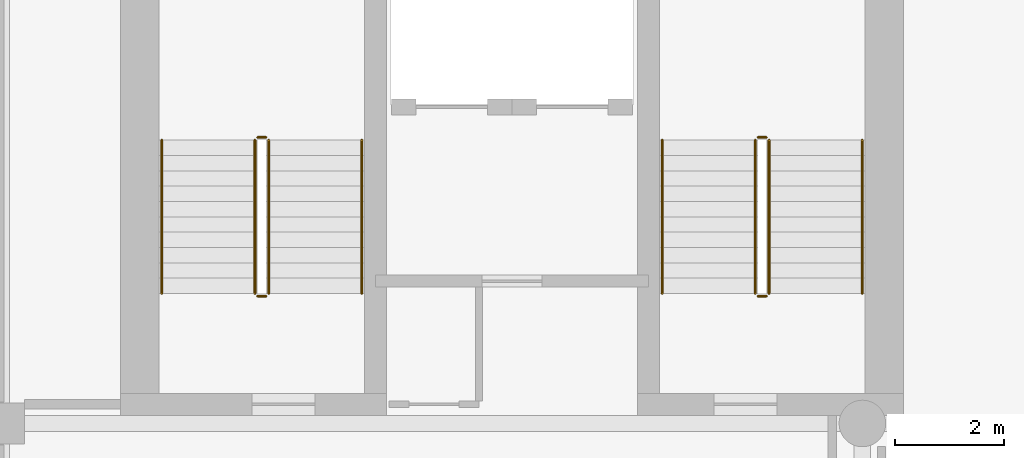
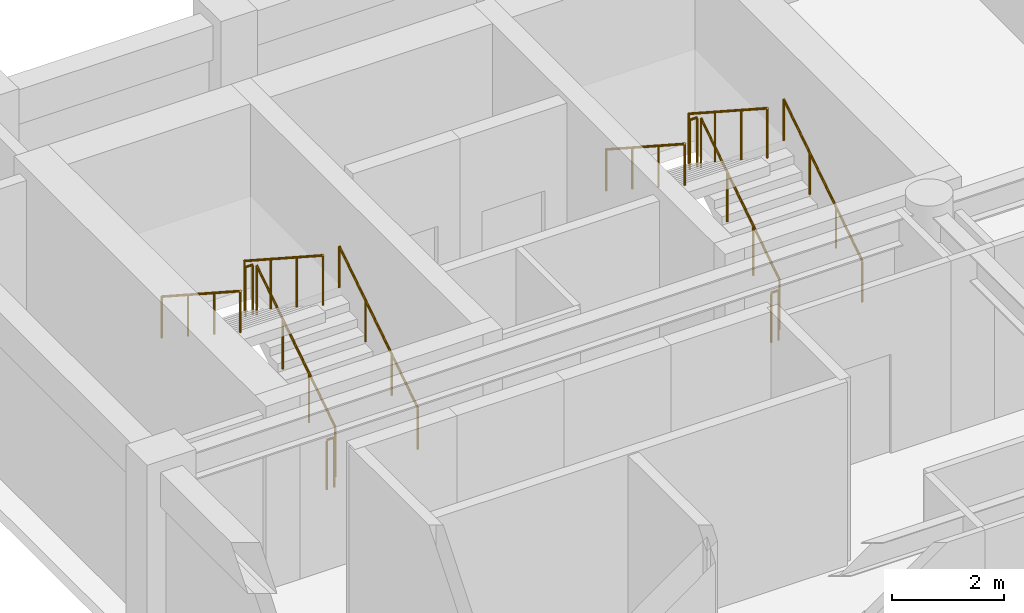
# One storey, part 7 of 8: 12 railings.
"""IFC4 building model written with IfcOpenShell, lengths in metres."""

from ifc_helpers import new_model, si_unit, direction, frame, origin, origin_2d, place, context, subcontext, project, spatial, circle, extrude, material, type_object, element, save


model = new_model("IFC4")

# Units and contexts
model_context = context("Model", 3, precision=1e-05, world=origin(), true_north=direction((0.0, 1.0)))
body_context = subcontext(model_context, "Body", "Model", "MODEL_VIEW")
ifc_project = project(units=[si_unit("LENGTHUNIT", "METRE"), si_unit("AREAUNIT", "SQUARE_METRE"), si_unit("VOLUMEUNIT", "CUBIC_METRE"), si_unit("PLANEANGLEUNIT", "RADIAN"), si_unit("MASSUNIT", "GRAM", prefix="KILO")], contexts=[model_context])

# Site, building, storey
site_placement = place(None, origin())
site = spatial("IfcSite", under=ifc_project, at=site_placement, CompositionType="ELEMENT")
building_placement = place(site_placement, origin())
building = spatial("IfcBuilding", under=site, at=building_placement, Name="Sulina Concourse Tower", CompositionType="ELEMENT")
storey_placement = place(building_placement, frame((0.0, 0.0, 226.60009765625)))
storey = spatial("IfcBuildingStorey", under=building, at=storey_placement, Name="L55", CompositionType="ELEMENT", Elevation=226.60009765625)

# Railings
ifc_material_1 = material(Name="Galvanised steel railing", Category="steel")
railing_type_1 = type_object("IfcRailingType", Name="Core Stair Steel Guardrail 1150mm", PredefinedType="GUARDRAIL", material=ifc_material_1)
railing_1_placement = place(storey_placement, frame((5.554931640625, 36.375, 0.181640625)))
element("IfcRailing", 1, at=railing_1_placement, inside=storey, type_object=railing_type_1, Name="L55 ST-1 stair guard 1", PredefinedType="GUARDRAIL", context=body_context, shape_type="SweptSolid", body=[
    extrude(circle(Radius=0.02392578125, at=origin_2d()), frame((0.0, 0.0, 1.076171875), z_axis=(0.0, 0.838672427954, 0.544636170843), x_axis=(-1.0, 0.0, 0.0)), (0.0, 0.0, 1.0), 3.338623046875),
    extrude(circle(Radius=0.02099609375, at=origin_2d()), origin(), (0.0, 0.0, 1.0), 1.052001953125),
    extrude(circle(Radius=0.02099609375, at=origin_2d()), frame((0.0, 0.933349609375, 0.606201171875)), (0.0, 0.0, 1.0), 1.052001953125),
    extrude(circle(Radius=0.02099609375, at=origin_2d()), frame((0.0, 1.86669921875, 1.212158203125)), (0.0, 0.0, 1.0), 1.052001953125),
    extrude(circle(Radius=0.02099609375, at=origin_2d()), frame((0.0, 2.800048828125, 1.818359375)), (0.0, 0.0, 1.0), 1.052001953125),
])
railing_2_placement = place(storey_placement, frame((5.5048828125, 39.22509765625, 2.0)))
element("IfcRailing", 2, at=railing_2_placement, inside=storey, type_object=railing_type_1, Name="L55 ST-1 stair guard 2", PredefinedType="GUARDRAIL", context=body_context, shape_type="SweptSolid", body=[
    extrude(circle(Radius=0.02392578125, at=origin_2d()), frame((0.0, 0.0, 1.076171875), z_axis=(-1.0, 0.0, 0.0), x_axis=(0.0, -1.0, 0.0)), (0.0, 0.0, 1.0), 0.14990234375),
    extrude(circle(Radius=0.02099609375, at=origin_2d()), origin(), (0.0, 0.0, 1.0), 1.052001953125),
    extrude(circle(Radius=0.02099609375, at=origin_2d()), frame((-0.14990234375, 0.0, 0.0)), (0.0, 0.0, 1.0), 1.052001953125),
])
railing_3_placement = place(storey_placement, frame((5.304931640625, 39.175048828125, 2.181640625)))
element("IfcRailing", 3, at=railing_3_placement, inside=storey, type_object=railing_type_1, Name="L55 ST-1 stair guard 3", PredefinedType="GUARDRAIL", context=body_context, shape_type="SweptSolid", body=[
    extrude(circle(Radius=0.02392578125, at=origin_2d()), frame((0.0, 0.0, 1.076171875), z_axis=(0.0, -0.838672427954, 0.544636170843), x_axis=(1.0, 0.0, 0.0)), (0.0, 0.0, 1.0), 3.338623046875),
    extrude(circle(Radius=0.02099609375, at=origin_2d()), origin(), (0.0, 0.0, 1.0), 1.052001953125),
    extrude(circle(Radius=0.02099609375, at=origin_2d()), frame((0.0, -0.933349609375, 0.606201171875)), (0.0, 0.0, 1.0), 1.052001953125),
    extrude(circle(Radius=0.02099609375, at=origin_2d()), frame((0.0, -1.86669921875, 1.212158203125)), (0.0, 0.0, 1.0), 1.052001953125),
    extrude(circle(Radius=0.02099609375, at=origin_2d()), frame((0.0, -2.800048828125, 1.818359375)), (0.0, 0.0, 1.0), 1.052001953125),
])
railing_4_placement = place(storey_placement, frame((5.5048828125, 36.324951171875, 0.0)))
element("IfcRailing", 4, at=railing_4_placement, inside=storey, type_object=railing_type_1, Name="L55 ST-1 stair guard 4", PredefinedType="GUARDRAIL", context=body_context, shape_type="SweptSolid", body=[
    extrude(circle(Radius=0.02392578125, at=origin_2d()), frame((0.0, 0.0, 1.076171875), z_axis=(-1.0, 0.0, 0.0), x_axis=(0.0, -1.0, 0.0)), (0.0, 0.0, 1.0), 0.14990234375),
    extrude(circle(Radius=0.02099609375, at=origin_2d()), origin(), (0.0, 0.0, 1.0), 1.052001953125),
    extrude(circle(Radius=0.02099609375, at=origin_2d()), frame((-0.14990234375, 0.0, 0.0)), (0.0, 0.0, 1.0), 1.052001953125),
])
railing_5_placement = place(storey_placement, frame((14.695068359375, 36.375, 0.181640625)))
element("IfcRailing", 5, at=railing_5_placement, inside=storey, type_object=railing_type_1, Name="L55 ST-2 stair guard 1", PredefinedType="GUARDRAIL", context=body_context, shape_type="SweptSolid", body=[
    extrude(circle(Radius=0.02392578125, at=origin_2d()), frame((0.0, 0.0, 1.076171875), z_axis=(0.0, 0.838672427954, 0.544636170843), x_axis=(-1.0, 0.0, 0.0)), (0.0, 0.0, 1.0), 3.338623046875),
    extrude(circle(Radius=0.02099609375, at=origin_2d()), origin(), (0.0, 0.0, 1.0), 1.052001953125),
    extrude(circle(Radius=0.02099609375, at=origin_2d()), frame((0.0, 0.933349609375, 0.606201171875)), (0.0, 0.0, 1.0), 1.052001953125),
    extrude(circle(Radius=0.02099609375, at=origin_2d()), frame((0.0, 1.86669921875, 1.212158203125)), (0.0, 0.0, 1.0), 1.052001953125),
    extrude(circle(Radius=0.02099609375, at=origin_2d()), frame((0.0, 2.800048828125, 1.818359375)), (0.0, 0.0, 1.0), 1.052001953125),
])
railing_6_placement = place(storey_placement, frame((14.64501953125, 39.22509765625, 2.0)))
element("IfcRailing", 6, at=railing_6_placement, inside=storey, type_object=railing_type_1, Name="L55 ST-2 stair guard 2", PredefinedType="GUARDRAIL", context=body_context, shape_type="SweptSolid", body=[
    extrude(circle(Radius=0.02392578125, at=origin_2d()), frame((0.0, 0.0, 1.076171875), z_axis=(-1.0, 0.0, 0.0), x_axis=(0.0, -1.0, 0.0)), (0.0, 0.0, 1.0), 0.14990234375),
    extrude(circle(Radius=0.02099609375, at=origin_2d()), origin(), (0.0, 0.0, 1.0), 1.052001953125),
    extrude(circle(Radius=0.02099609375, at=origin_2d()), frame((-0.14990234375, 0.0, 0.0)), (0.0, 0.0, 1.0), 1.052001953125),
])
railing_7_placement = place(storey_placement, frame((14.445068359375, 39.175048828125, 2.181640625)))
element("IfcRailing", 7, at=railing_7_placement, inside=storey, type_object=railing_type_1, Name="L55 ST-2 stair guard 3", PredefinedType="GUARDRAIL", context=body_context, shape_type="SweptSolid", body=[
    extrude(circle(Radius=0.02392578125, at=origin_2d()), frame((0.0, 0.0, 1.076171875), z_axis=(0.0, -0.838672427954, 0.544636170843), x_axis=(1.0, 0.0, 0.0)), (0.0, 0.0, 1.0), 3.338623046875),
    extrude(circle(Radius=0.02099609375, at=origin_2d()), origin(), (0.0, 0.0, 1.0), 1.052001953125),
    extrude(circle(Radius=0.02099609375, at=origin_2d()), frame((0.0, -0.933349609375, 0.606201171875)), (0.0, 0.0, 1.0), 1.052001953125),
    extrude(circle(Radius=0.02099609375, at=origin_2d()), frame((0.0, -1.86669921875, 1.212158203125)), (0.0, 0.0, 1.0), 1.052001953125),
    extrude(circle(Radius=0.02099609375, at=origin_2d()), frame((0.0, -2.800048828125, 1.818359375)), (0.0, 0.0, 1.0), 1.052001953125),
])
railing_8_placement = place(storey_placement, frame((14.64501953125, 36.324951171875, 0.0)))
element("IfcRailing", 8, at=railing_8_placement, inside=storey, type_object=railing_type_1, Name="L55 ST-2 stair guard 4", PredefinedType="GUARDRAIL", context=body_context, shape_type="SweptSolid", body=[
    extrude(circle(Radius=0.02392578125, at=origin_2d()), frame((0.0, 0.0, 1.076171875), z_axis=(-1.0, 0.0, 0.0), x_axis=(0.0, -1.0, 0.0)), (0.0, 0.0, 1.0), 0.14990234375),
    extrude(circle(Radius=0.02099609375, at=origin_2d()), origin(), (0.0, 0.0, 1.0), 1.052001953125),
    extrude(circle(Radius=0.02099609375, at=origin_2d()), frame((-0.14990234375, 0.0, 0.0)), (0.0, 0.0, 1.0), 1.052001953125),
])
ifc_material_2 = material(Name="Galvanised steel railing", Category="steel")
railing_type_2 = type_object("IfcRailingType", Name="Stair Wall Steel Handrail 920mm", PredefinedType="HANDRAIL", material=ifc_material_2)
railing_9_placement = place(storey_placement, frame((7.2548828125, 36.375, 0.181640625)))
element("IfcRailing", 9, at=railing_9_placement, inside=storey, type_object=railing_type_2, Name="L55 ST-1 stair handrail 1", PredefinedType="HANDRAIL", context=body_context, shape_type="SweptSolid", body=[
    extrude(circle(Radius=0.02392578125, at=origin_2d()), frame((0.0, 0.0, 0.89599609375), z_axis=(0.0, 0.838672427954, 0.544636170843), x_axis=(-1.0, 0.0, 0.0)), (0.0, 0.0, 1.0), 3.338623046875),
    extrude(circle(Radius=0.02099609375, at=origin_2d()), origin(), (0.0, 0.0, 1.0), 0.871826171875),
    extrude(circle(Radius=0.02099609375, at=origin_2d()), frame((0.0, 0.933349609375, 0.606201171875)), (0.0, 0.0, 1.0), 0.871826171875),
    extrude(circle(Radius=0.02099609375, at=origin_2d()), frame((0.0, 1.86669921875, 1.212158203125)), (0.0, 0.0, 1.0), 0.871826171875),
    extrude(circle(Radius=0.02099609375, at=origin_2d()), frame((0.0, 2.800048828125, 1.818359375)), (0.0, 0.0, 1.0), 0.871826171875),
])
railing_10_placement = place(storey_placement, frame((3.60498046875, 39.175048828125, 2.181640625)))
element("IfcRailing", 10, at=railing_10_placement, inside=storey, type_object=railing_type_2, Name="L55 ST-1 stair handrail 2", PredefinedType="HANDRAIL", context=body_context, shape_type="SweptSolid", body=[
    extrude(circle(Radius=0.02392578125, at=origin_2d()), frame((0.0, 0.0, 0.89599609375), z_axis=(0.0, -0.838672427954, 0.544636170843), x_axis=(1.0, 0.0, 0.0)), (0.0, 0.0, 1.0), 3.338623046875),
    extrude(circle(Radius=0.02099609375, at=origin_2d()), origin(), (0.0, 0.0, 1.0), 0.871826171875),
    extrude(circle(Radius=0.02099609375, at=origin_2d()), frame((0.0, -0.933349609375, 0.606201171875)), (0.0, 0.0, 1.0), 0.871826171875),
    extrude(circle(Radius=0.02099609375, at=origin_2d()), frame((0.0, -1.86669921875, 1.212158203125)), (0.0, 0.0, 1.0), 0.871826171875),
    extrude(circle(Radius=0.02099609375, at=origin_2d()), frame((0.0, -2.800048828125, 1.818359375)), (0.0, 0.0, 1.0), 0.871826171875),
])
railing_11_placement = place(storey_placement, frame((16.39501953125, 36.375, 0.181640625)))
element("IfcRailing", 11, at=railing_11_placement, inside=storey, type_object=railing_type_2, Name="L55 ST-2 stair handrail 1", PredefinedType="HANDRAIL", context=body_context, shape_type="SweptSolid", body=[
    extrude(circle(Radius=0.02392578125, at=origin_2d()), frame((0.0, 0.0, 0.89599609375), z_axis=(0.0, 0.838672427954, 0.544636170843), x_axis=(-1.0, 0.0, 0.0)), (0.0, 0.0, 1.0), 3.338623046875),
    extrude(circle(Radius=0.02099609375, at=origin_2d()), origin(), (0.0, 0.0, 1.0), 0.871826171875),
    extrude(circle(Radius=0.02099609375, at=origin_2d()), frame((0.0, 0.933349609375, 0.606201171875)), (0.0, 0.0, 1.0), 0.871826171875),
    extrude(circle(Radius=0.02099609375, at=origin_2d()), frame((0.0, 1.86669921875, 1.212158203125)), (0.0, 0.0, 1.0), 0.871826171875),
    extrude(circle(Radius=0.02099609375, at=origin_2d()), frame((0.0, 2.800048828125, 1.818359375)), (0.0, 0.0, 1.0), 0.871826171875),
])
railing_12_placement = place(storey_placement, frame((12.7451171875, 39.175048828125, 2.181640625)))
element("IfcRailing", 12, at=railing_12_placement, inside=storey, type_object=railing_type_2, Name="L55 ST-2 stair handrail 2", PredefinedType="HANDRAIL", context=body_context, shape_type="SweptSolid", body=[
    extrude(circle(Radius=0.02392578125, at=origin_2d()), frame((0.0, 0.0, 0.89599609375), z_axis=(0.0, -0.838672427954, 0.544636170843), x_axis=(1.0, 0.0, 0.0)), (0.0, 0.0, 1.0), 3.338623046875),
    extrude(circle(Radius=0.02099609375, at=origin_2d()), origin(), (0.0, 0.0, 1.0), 0.871826171875),
    extrude(circle(Radius=0.02099609375, at=origin_2d()), frame((0.0, -0.933349609375, 0.606201171875)), (0.0, 0.0, 1.0), 0.871826171875),
    extrude(circle(Radius=0.02099609375, at=origin_2d()), frame((0.0, -1.86669921875, 1.212158203125)), (0.0, 0.0, 1.0), 0.871826171875),
    extrude(circle(Radius=0.02099609375, at=origin_2d()), frame((0.0, -2.800048828125, 1.818359375)), (0.0, 0.0, 1.0), 0.871826171875),
])

save(model, "model.ifc")
